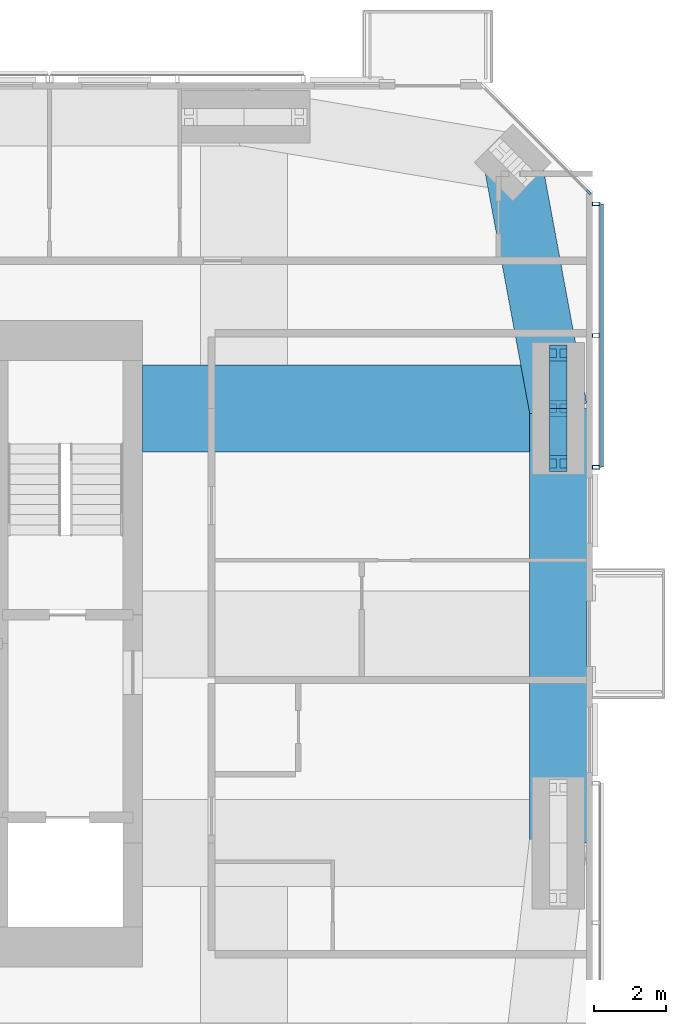
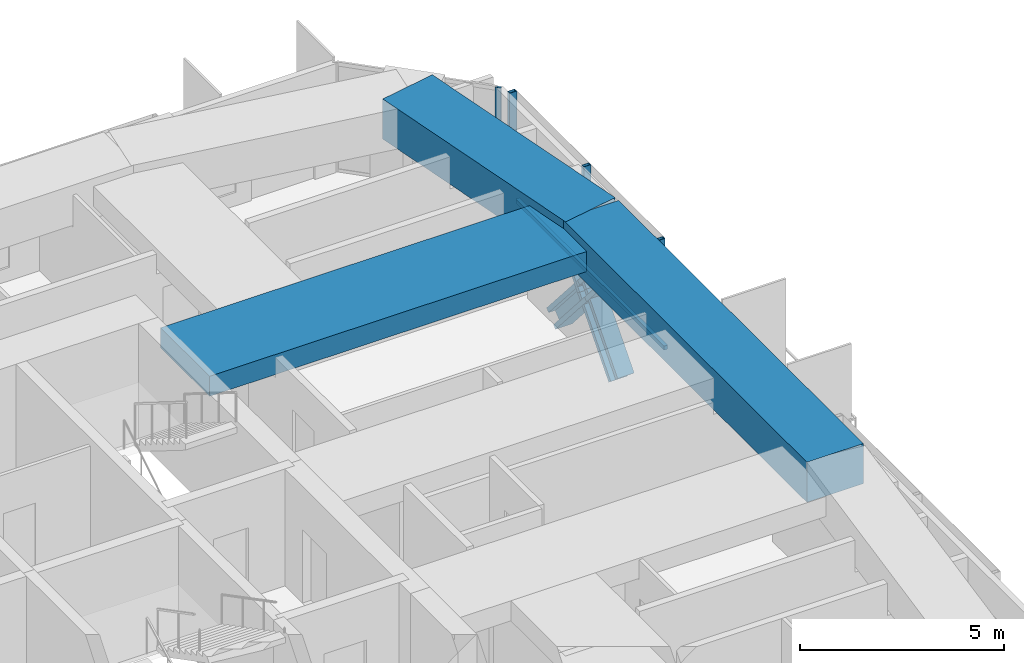
# One storey, part 8 of 18: 9 members, 3 beams, 2 elements without a shape of their own.
"""IFC4 building model written with IfcOpenShell, lengths in metres."""

from ifc_helpers import new_model, si_unit, direction, frame, origin, origin_2d, place, context, subcontext, project, spatial, rectangle, hollow_rectangle, i_section, extrude, material, material_profile, profile_set, type_object, element, aggregate, save


model = new_model("IFC4")

# Units and contexts
model_context = context("Model", 3, precision=1e-05, world=origin(), true_north=direction((0.0, 1.0)))
body_context = subcontext(model_context, "Body", "Model", "MODEL_VIEW")
ifc_project = project(units=[si_unit("LENGTHUNIT", "METRE"), si_unit("AREAUNIT", "SQUARE_METRE"), si_unit("VOLUMEUNIT", "CUBIC_METRE"), si_unit("PLANEANGLEUNIT", "RADIAN"), si_unit("MASSUNIT", "GRAM", prefix="KILO")], contexts=[model_context])

# Site, building, storey
site_placement = place(None, origin())
site = spatial("IfcSite", under=ifc_project, at=site_placement, CompositionType="ELEMENT")
building_placement = place(site_placement, origin())
building = spatial("IfcBuilding", under=site, at=building_placement, Name="Jalousie Tower", CompositionType="ELEMENT")
storey_placement = place(building_placement, frame((0.0, 0.0, 231.949951171875)))
storey = spatial("IfcBuildingStorey", under=building, at=storey_placement, Name="L63", CompositionType="ELEMENT", Elevation=231.949951171875)

# Curtain wall, member
ifc_material_1 = material(Name="Aluminium curtain wall", Category="aluminium")
curtain_wall_type_1 = type_object("IfcCurtainWallType", Name="CORNER WINDOW WALL", PredefinedType="USERDEFINED", material=ifc_material_1)
curtain_wall_1_placement = place(storey_placement, origin())
curtain_wall_1 = element("IfcCurtainWall", 1, at=curtain_wall_1_placement, inside=storey, type_object=curtain_wall_type_1, Name="Corner Window Wall L63 4", ObjectType="CORNER WINDOW WALL", PredefinedType="USERDEFINED")
ifc_material_2 = material(Name="Aluminium mullion", Category="aluminium")
ifc_material_profile_1 = material_profile(ifc_material_2, rectangle(XDim=0.06005859375, YDim=0.14990234375, at=origin_2d()), Name="MULLION 60x150")
ifc_profile_set_1 = profile_set([ifc_material_profile_1], Name="Aluminium mullion")
member_type_1 = type_object("IfcMemberType", Name="CORNER WINDOW WALL MULLION", PredefinedType="MULLION", material=ifc_profile_set_1)
member_1_placement = place(storey_placement, frame((56.391357421875, 30.969970703125, 0.0), z_axis=(0.0, 0.0, 1.0), x_axis=(-0.707106781187, -0.707106781187, 0.0)))
member_1 = element("IfcMember", 2, at=member_1_placement, type_object=member_type_1, Name="CW-C mullion 1", PredefinedType="MULLION", context=body_context, shape_type="SweptSolid", body=[
    extrude(rectangle(XDim=0.06005859375, YDim=0.14990234375, at=origin_2d()), origin(), (0.0, 0.0, 1.0), 3.260009765625),
])
aggregate(curtain_wall_1, [member_1])

# Members
ifc_material_3 = material(Name="Steel ASTM A992 Grade 50", Category="steel")
ifc_material_profile_2 = material_profile(ifc_material_3, i_section(OverallWidth=0.472412109375, OverallDepth=0.5791015625, WebThickness=0.094970703125, FlangeThickness=0.1298828125, at=origin_2d()), Name="W14X808")
ifc_profile_set_2 = profile_set([ifc_material_profile_2], Name="Steel ASTM A992 Grade 50")
member_type_2 = type_object("IfcMemberType", Name="PERIMETER BRACE W14X808", PredefinedType="BRACE", material=ifc_profile_set_2)
for number, where, z_axis, x_axis, name in (
    (3, (55.550048828125, 23.47509765625, -0.599853515625), (0.0, 0.65695436777, 0.753930340726), (-1.0, 0.0, 0.0), "Perimeter brace 07 L63 part 1"),
    (4, (55.550048828125, 25.0, 1.150146484375), (0.0, 0.65695436777, 0.753930340726), (-1.0, 0.0, 0.0), "Perimeter brace 07 L63 part 2"),
    (5, (55.550048828125, 26.52490234375, -0.599853515625), (0.0, -0.65695436777, 0.753930340726), (1.0, 0.0, 0.0), "Perimeter brace 07 L63 part 3"),
    (6, (55.550048828125, 25.0, 1.150146484375), (0.0, -0.65695436777, 0.753930340726), (1.0, 0.0, 0.0), "Perimeter brace 07 L63 part 4"),
):
    element("IfcMember", number, at=place(storey_placement, frame(where, z_axis=z_axis, x_axis=x_axis)), inside=storey, type_object=member_type_2, Name=name, PredefinedType="BRACE", context=body_context, shape_type="SweptSolid", body=[
        extrude(i_section(OverallWidth=0.472412109375, OverallDepth=0.5791015625, WebThickness=0.094970703125, FlangeThickness=0.1298828125, at=origin_2d()), origin(), (0.0, 0.0, 1.0), 2.3212890625),
    ])

# Beams
ifc_material_4 = material(Name="Concrete f'c 40 MPa", Category="concrete")
ifc_material_profile_3 = material_profile(ifc_material_4, rectangle(XDim=1.60009765625, YDim=1.199951171875, at=origin_2d()), Name="RC 1600x1200")
ifc_profile_set_3 = profile_set([ifc_material_profile_3], Name="Concrete f'c 40 MPa")
beam_type_1 = type_object("IfcBeamType", Name="RC BEAM 1600x1200", PredefinedType="BEAM", material=ifc_profile_set_3)
beam_1_placement = place(storey_placement, frame((55.550048828125, 13.0, 2.900146484375), z_axis=(0.0, 1.0, 0.0), x_axis=(-1.0, 0.0, 0.0)))
element("IfcBeam", 7, at=beam_1_placement, inside=storey, type_object=beam_type_1, Name="Edge band beam 06-07 under L64", PredefinedType="BEAM", context=body_context, shape_type="SweptSolid", body=[
    extrude(rectangle(XDim=1.60009765625, YDim=1.199951171875, at=origin_2d()), origin(), (0.0, 0.0, 1.0), 12.0),
])
beam_2_placement = place(storey_placement, frame((55.550048828125, 25.0, 2.900146484375), z_axis=(-0.181966505593, 0.983304729391, 0.0), x_axis=(-0.983304729391, -0.181966505593, 0.0)))
element("IfcBeam", 8, at=beam_2_placement, inside=storey, type_object=beam_type_1, Name="Edge band beam 07-08 under L64", PredefinedType="BEAM", context=body_context, shape_type="SweptSolid", body=[
    extrude(rectangle(XDim=1.60009765625, YDim=1.199951171875, at=origin_2d()), origin(), (0.0, 0.0, 1.0), 6.908203125),
])
ifc_material_5 = material(Name="Concrete f'c 40 MPa", Category="concrete")
ifc_material_profile_4 = material_profile(ifc_material_5, rectangle(XDim=2.39990234375, YDim=0.60009765625, at=origin_2d()), Name="RC 2400x600")
ifc_profile_set_4 = profile_set([ifc_material_profile_4], Name="Concrete f'c 40 MPa")
beam_type_2 = type_object("IfcBeamType", Name="RC BEAM 2400x600", PredefinedType="BEAM", material=ifc_profile_set_4)
beam_3_placement = place(storey_placement, frame((55.550048828125, 25.0, 2.9599609375), z_axis=(-1.0, 0.0, 0.0), x_axis=(0.0, -1.0, 0.0)))
element("IfcBeam", 9, at=beam_3_placement, inside=storey, type_object=beam_type_2, Name="Floor band beam under L64", PredefinedType="BEAM", context=body_context, shape_type="SweptSolid", body=[
    extrude(rectangle(XDim=2.39990234375, YDim=0.60009765625, at=origin_2d()), origin(), (0.0, 0.0, 1.0), 11.47509765625),
])

# Curtain wall, members
ifc_material_6 = material(Name="Perforated aluminium sheet", Category="aluminium")
curtain_wall_type_2 = type_object("IfcCurtainWallType", Name="SOLAR SCREEN SS-2", PredefinedType="USERDEFINED", material=ifc_material_6)
curtain_wall_2_placement = place(storey_placement, origin())
curtain_wall_2 = element("IfcCurtainWall", 10, at=curtain_wall_2_placement, inside=storey, type_object=curtain_wall_type_2, Name="Solar screen L63", ObjectType="SOLAR SCREEN SS-2", PredefinedType="USERDEFINED")
ifc_material_7 = material(Name="Steel ASTM A500 Grade C", Category="steel")
ifc_material_profile_5 = material_profile(ifc_material_7, hollow_rectangle(XDim=0.1015625, YDim=0.203125, WallThickness=0.0078125, at=origin_2d()), Name="HSS8X4X5/16")
ifc_profile_set_5 = profile_set([ifc_material_profile_5], Name="Steel ASTM A500 Grade C")
member_type_3 = type_object("IfcMemberType", Name="SOLAR SCREEN SS-2 MULLION", PredefinedType="MULLION", material=ifc_profile_set_5)
member_2_placement = place(storey_placement, frame((56.5966796875, 23.375, -0.119873046875), z_axis=(0.0, 0.0, 1.0), x_axis=(0.0, 1.0, 0.0)))
member_2 = element("IfcMember", 11, at=member_2_placement, type_object=member_type_3, Name="SS2 post 1", PredefinedType="MULLION", context=body_context, shape_type="SweptSolid", body=[
    extrude(hollow_rectangle(XDim=0.1015625, YDim=0.203125, WallThickness=0.0078125, at=origin_2d()), origin(), (0.0, 0.0, 1.0), 3.3798828125),
])
member_3_placement = place(storey_placement, frame((56.5966796875, 27.011962890625, -0.119873046875), z_axis=(0.0, 0.0, 1.0), x_axis=(0.0, 1.0, 0.0)))
member_3 = element("IfcMember", 12, at=member_3_placement, type_object=member_type_3, Name="SS2 post 2", PredefinedType="MULLION", context=body_context, shape_type="SweptSolid", body=[
    extrude(hollow_rectangle(XDim=0.1015625, YDim=0.203125, WallThickness=0.0078125, at=origin_2d()), origin(), (0.0, 0.0, 1.0), 3.3798828125),
])
member_4_placement = place(storey_placement, frame((56.5966796875, 30.648681640625, -0.119873046875), z_axis=(0.0, 0.0, 1.0), x_axis=(0.0, 1.0, 0.0)))
member_4 = element("IfcMember", 13, at=member_4_placement, type_object=member_type_3, Name="SS2 post 3", PredefinedType="MULLION", context=body_context, shape_type="SweptSolid", body=[
    extrude(hollow_rectangle(XDim=0.1015625, YDim=0.203125, WallThickness=0.0078125, at=origin_2d()), origin(), (0.0, 0.0, 1.0), 3.3798828125),
])
ifc_material_8 = material(Name="Extruded aluminium screen rail", Category="aluminium")
ifc_material_profile_6 = material_profile(ifc_material_8, rectangle(XDim=0.1015625, YDim=0.1201171875, at=origin_2d()), Name="RAIL 102x120")
ifc_profile_set_6 = profile_set([ifc_material_profile_6], Name="Extruded aluminium screen rail")
member_type_4 = type_object("IfcMemberType", Name="SOLAR SCREEN SS-2 TRANSOM", PredefinedType="USERDEFINED", material=ifc_profile_set_6)
member_5_placement = place(storey_placement, frame((56.7490234375, 23.375, -0.06005859375), z_axis=(0.0, 1.0, 0.0), x_axis=(-1.0, 0.0, 0.0)))
member_5 = element("IfcMember", 14, at=member_5_placement, type_object=member_type_4, Name="SS2 rail", ObjectType="TRANSOM", PredefinedType="USERDEFINED", context=body_context, shape_type="SweptSolid", body=[
    extrude(rectangle(XDim=0.1015625, YDim=0.1201171875, at=origin_2d()), origin(), (0.0, 0.0, 1.0), 7.273681640625),
])
aggregate(curtain_wall_2, [member_2, member_3, member_4, member_5])

save(model, "model.ifc")
